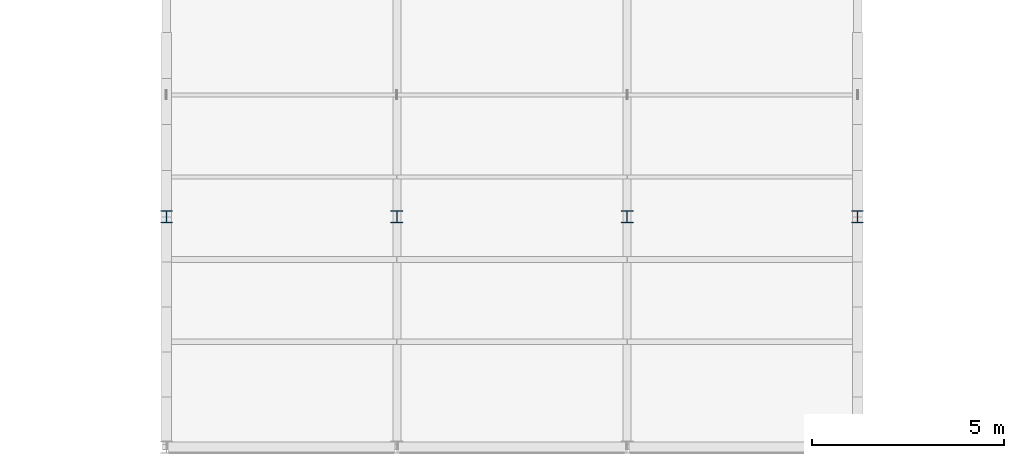
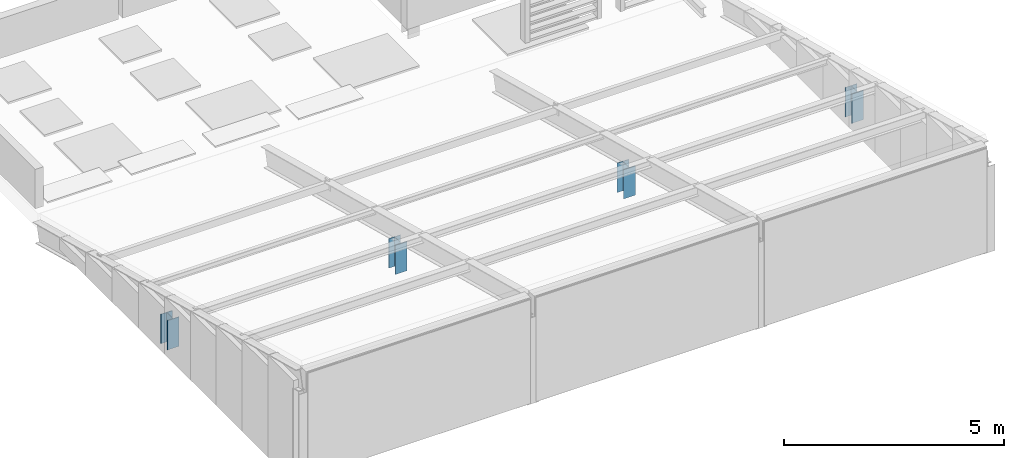
# One storey, part 33 of 74: 4 members.
"""IFC4 building model written with IfcOpenShell, lengths in metres."""

import ifcopenshell
import ifcopenshell.guid

model = None  # the IFC model being written
_history = None  # IfcOwnerHistory: only IFC2X3 demands one
_inside = {}  # id of a spatial element -> (the spatial element, [elements in it])
_under = {}  # id of a project, library or spatial element -> (it, [spatial elements below it])
_declared = {}  # id of a project -> (the project, [libraries it declares])
_typed = {}  # id of a type object -> (the type object, [elements of that type])
_made_of = {}  # id of a material, layer set ... -> (it, [elements and type objects made of it])


def new_model(schema):
    """Start an empty IFC model of exactly this schema.

    Asked for "IFC4X3", IfcOpenShell would pick the latest addendum, in which some entities
    have other attributes; the version numbers below select the first issue.
    IFC2X3 requires an IfcOwnerHistory on every rooted entity: one is made here for all.
    """
    global model, _history
    if schema == "IFC4X3":
        model = ifcopenshell.file(schema_version=(4, 3, 0, 0))
    else:
        model = ifcopenshell.file(schema=schema)
    _inside.clear()
    _under.clear()
    _declared.clear()
    _typed.clear()
    _made_of.clear()
    _history = None
    if model.schema == "IFC2X3":
        org = make("IfcOrganization", Name="unknown")
        user = make(
            "IfcPersonAndOrganization",
            ThePerson=make("IfcPerson", FamilyName="unknown"),
            TheOrganization=org,
        )
        app = make(
            "IfcApplication",
            ApplicationDeveloper=org,
            Version="unknown",
            ApplicationFullName="unknown",
            ApplicationIdentifier="unknown",
        )
        _history = make(
            "IfcOwnerHistory",
            OwningUser=user,
            OwningApplication=app,
            ChangeAction="ADDED",
            CreationDate=0,
        )
    return model


def make(cls, **values):
    """One entity of the class cls with the attributes given. An attribute that is None is left unset."""
    return model.create_entity(
        cls, **{name: value for name, value in values.items() if value is not None}
    )


def rooted(cls, **values):
    """An entity with a GlobalId (a new one), such as an element, a storey or a relation."""
    return make(cls, GlobalId=ifcopenshell.guid.new(), OwnerHistory=_history, **values)


def si_unit(unit_type, name, prefix=None):
    """IfcSIUnit, for example si_unit("LENGTHUNIT", "METRE", prefix="MILLI")."""
    return make("IfcSIUnit", UnitType=unit_type, Prefix=prefix, Name=name)


def assignment(units):
    """IfcUnitAssignment: the units of a project."""
    return None if units is None else make("IfcUnitAssignment", Units=units)


def point(xyz):
    """IfcCartesianPoint."""
    return None if xyz is None else make("IfcCartesianPoint", Coordinates=xyz)


def direction(xyz):
    """IfcDirection."""
    return None if xyz is None else make("IfcDirection", DirectionRatios=xyz)


def frame(location, z_axis=None, x_axis=None):
    """IfcAxis2Placement3D, a coordinate frame: its origin and axes. An axis left out is left unset."""
    return make(
        "IfcAxis2Placement3D",
        Location=point(location),
        Axis=direction(z_axis),
        RefDirection=direction(x_axis),
    )


def frame_2d(location, x_axis=None):
    """IfcAxis2Placement2D, a coordinate frame in the plane: its origin and x axis."""
    return make(
        "IfcAxis2Placement2D", Location=point(location), RefDirection=direction(x_axis)
    )


def origin():
    """The frame at (0, 0, 0) with its axes left unset."""
    return frame((0.0, 0.0, 0.0))


def origin_2d():
    """The frame at (0, 0) in the plane with its x axis left unset."""
    return frame_2d((0.0, 0.0))


def place(relative_to, where):
    """IfcLocalPlacement: puts the frame where relative to a parent placement (None: the world)."""
    return make(
        "IfcLocalPlacement", PlacementRelTo=relative_to, RelativePlacement=where
    )


def context(
    kind, dimensions, precision=None, world=None, true_north=None, identifier=None
):
    """IfcGeometricRepresentationContext, for example the 3D "Model" context."""
    return make(
        "IfcGeometricRepresentationContext",
        ContextIdentifier=identifier,
        ContextType=kind,
        CoordinateSpaceDimension=dimensions,
        Precision=precision,
        WorldCoordinateSystem=world,
        TrueNorth=true_north,
    )


def subcontext(parent, identifier, kind, view, scale=None):
    """IfcGeometricRepresentationSubContext, for example "Body" below "Model"."""
    return make(
        "IfcGeometricRepresentationSubContext",
        ContextIdentifier=identifier,
        ContextType=kind,
        ParentContext=parent,
        TargetScale=scale,
        TargetView=view,
    )


def project(units=None, contexts=None):
    """IfcProject with its units and contexts."""
    return rooted(
        "IfcProject",
        Name="project",
        RepresentationContexts=contexts,
        UnitsInContext=assignment(units),
    )


def spatial(cls, under=None, at=None, **own):
    """A site, building, storey or space (cls), placed at a placement, below another one or the project."""
    s = rooted(cls, ObjectPlacement=at, **own)
    if under is not None:
        _under.setdefault(under.id(), (under, []))[1].append(s)
    return s


def profile(cls, at=None, kind="AREA", **sizes):
    """A parametric profile (cls). Its sizes go by their IFC names, for example OverallWidth=200.0."""
    return make(cls, ProfileType=kind, Position=at, **sizes)


def i_section(**sizes):
    """IfcIShapeProfileDef."""
    return profile("IfcIShapeProfileDef", **sizes)


def extrude(swept, where, along, depth):
    """IfcExtrudedAreaSolid: the profile swept, set in the frame where, extruded along a direction by depth."""
    return make(
        "IfcExtrudedAreaSolid",
        SweptArea=swept,
        Position=where,
        ExtrudedDirection=direction(along),
        Depth=depth,
    )


def shape(context_of_items, identifier, shape_type, items):
    """IfcShapeRepresentation: the items that make up one representation, for example the "Body"."""
    return make(
        "IfcShapeRepresentation",
        ContextOfItems=context_of_items,
        RepresentationIdentifier=identifier,
        RepresentationType=shape_type,
        Items=items,
    )


def material(Name=None, Category=None):
    """IfcMaterial."""
    return make("IfcMaterial", Name=Name, Category=Category)


def material_profile(
    of_material, cross_section, Name=None, Category=None, Priority=None
):
    """IfcMaterialProfile: a cross section and its material."""
    return make(
        "IfcMaterialProfile",
        Name=Name,
        Material=of_material,
        Profile=cross_section,
        Priority=Priority,
        Category=Category,
    )


def profile_set(profiles, Name=None, composite=None):
    """IfcMaterialProfileSet."""
    return make(
        "IfcMaterialProfileSet",
        Name=Name,
        MaterialProfiles=profiles,
        CompositeProfile=composite,
    )


def made_of(thing, what):
    """Note that an element or type object is made of a material, layer set ...; save() writes the relation."""
    if what is not None:
        _made_of.setdefault(what.id(), (what, []))[1].append(thing)
    return thing


def type_object(cls, material=None, **own):
    """A type object (cls), such as IfcWallType, which elements share."""
    return made_of(rooted(cls, **own), material)


def element(
    cls,
    number,
    at=None,
    inside=None,
    cuts=None,
    type_object=None,
    material=None,
    context=None,
    identifier="Body",
    shape_type=None,
    held_by="IfcProductDefinitionShape",
    body=None,
    shapes=None,
    **own,
):
    """One element of the class cls, such as IfcWall. Its Tag is "e" and its number.

    at: its placement. inside: the storey or other place that contains it. cuts: it is an
    opening in that element (IfcRelVoidsElement). A single representation is given by context,
    identifier, shape_type and body (its items); several are given by shapes. held_by: the class
    of the entity that holds the representations. save() writes the other relations.
    """
    e = rooted(cls, Tag="e%d" % number, ObjectPlacement=at, **own)
    if body is not None:
        shapes = [shape(context, identifier, shape_type, body)]
    if shapes is not None:
        e.Representation = make(held_by, Representations=shapes)
    if inside is not None:
        _inside.setdefault(inside.id(), (inside, []))[1].append(e)
    if cuts is not None:
        rooted(
            "IfcRelVoidsElement", RelatingBuildingElement=cuts, RelatedOpeningElement=e
        )
    if type_object is not None:
        _typed.setdefault(type_object.id(), (type_object, []))[1].append(e)
    return made_of(e, material)


def aggregate(whole, parts):
    """IfcRelAggregates: a whole, such as a stair, and the parts it consists of."""
    return rooted("IfcRelAggregates", RelatingObject=whole, RelatedObjects=parts)


def save(model, path):
    """Write the relations noted so far, then the file.

    IfcRelAggregates (storeys below a building ...), IfcRelContainedInSpatialStructure (elements
    in a storey), IfcRelDefinesByType, IfcRelAssociatesMaterial and IfcRelDeclares: one each for
    every whole, place, type object, material and project.
    """
    for whole, parts in _under.values():
        aggregate(whole, parts)
    for where, things in _inside.values():
        rooted(
            "IfcRelContainedInSpatialStructure",
            RelatedElements=things,
            RelatingStructure=where,
        )
    for kind, things in _typed.values():
        rooted("IfcRelDefinesByType", RelatedObjects=things, RelatingType=kind)
    for what, things in _made_of.values():
        rooted("IfcRelAssociatesMaterial", RelatedObjects=things, RelatingMaterial=what)
    for by, libraries in _declared.values():
        rooted("IfcRelDeclares", RelatingContext=by, RelatedDefinitions=libraries)
    model.write(path)


model = new_model("IFC4")

# Units and contexts
model_context = context("Model", 3, precision=1e-05, world=origin(), true_north=direction((0.0, 1.0)))
body_context = subcontext(model_context, "Body", "Model", "MODEL_VIEW")
ifc_project = project(units=[si_unit("LENGTHUNIT", "METRE"), si_unit("AREAUNIT", "SQUARE_METRE"), si_unit("VOLUMEUNIT", "CUBIC_METRE"), si_unit("PLANEANGLEUNIT", "RADIAN"), si_unit("MASSUNIT", "GRAM", prefix="KILO")], contexts=[model_context])

# Site, building, storey
site_placement = place(None, origin())
site = spatial("IfcSite", under=ifc_project, at=site_placement, CompositionType="ELEMENT")
building_placement = place(site_placement, origin())
building = spatial("IfcBuilding", under=site, at=building_placement, Name="Siltcreek Boulevard Central Fire Station", CompositionType="ELEMENT")
storey_placement = place(building_placement, frame((0.0, 0.0, 25.199951171875)))
storey = spatial("IfcBuildingStorey", under=building, at=storey_placement, Name="RF", CompositionType="ELEMENT", Elevation=25.199951171875)

# Members
ifc_material = material(Name="Structural steel ASTM A992 Gr50", Category="steel")
ifc_material_profile = material_profile(ifc_material, i_section(OverallWidth=0.304931640625, OverallDepth=0.30810546875, WebThickness=0.010009765625, FlangeThickness=0.015380859375, at=origin_2d()), Name="W310X97")
ifc_profile_set = profile_set([ifc_material_profile], Name="Structural steel ASTM A992 Gr50")
member_type = type_object("IfcMemberType", Name="CH_W310X97", PredefinedType="CHORD", material=ifc_profile_set)
for number, where, z_axis, x_axis, name in (
    (1, (42.0, 100.199951171875, 0.0), (0.0, 0.0, 1.0), (1.0, 0.0, 0.0), "Roof bearing truss post 0690"),
    (2, (48.0, 100.199951171875, 0.0), (0.0, 0.0, 1.0), (1.0, 0.0, 0.0), "Roof bearing truss post 0699"),
    (3, (54.0, 100.199951171875, 0.0), (0.0, 0.0, 1.0), (1.0, 0.0, 0.0), "Roof bearing truss post 0708"),
    (4, (60.0, 100.199951171875, 0.0), (0.0, 0.0, 1.0), (1.0, 0.0, 0.0), "Roof bearing truss post 0717"),
):
    element("IfcMember", number, at=place(storey_placement, frame(where, z_axis=z_axis, x_axis=x_axis)), inside=storey, type_object=member_type, Name=name, PredefinedType="CHORD", context=body_context, shape_type="SweptSolid", body=[
        extrude(i_section(OverallWidth=0.304931640625, OverallDepth=0.30810546875, WebThickness=0.010009765625, FlangeThickness=0.015380859375, at=origin_2d()), origin(), (0.0, 0.0, 1.0), 0.816162109375),
    ])

save(model, "model.ifc")
